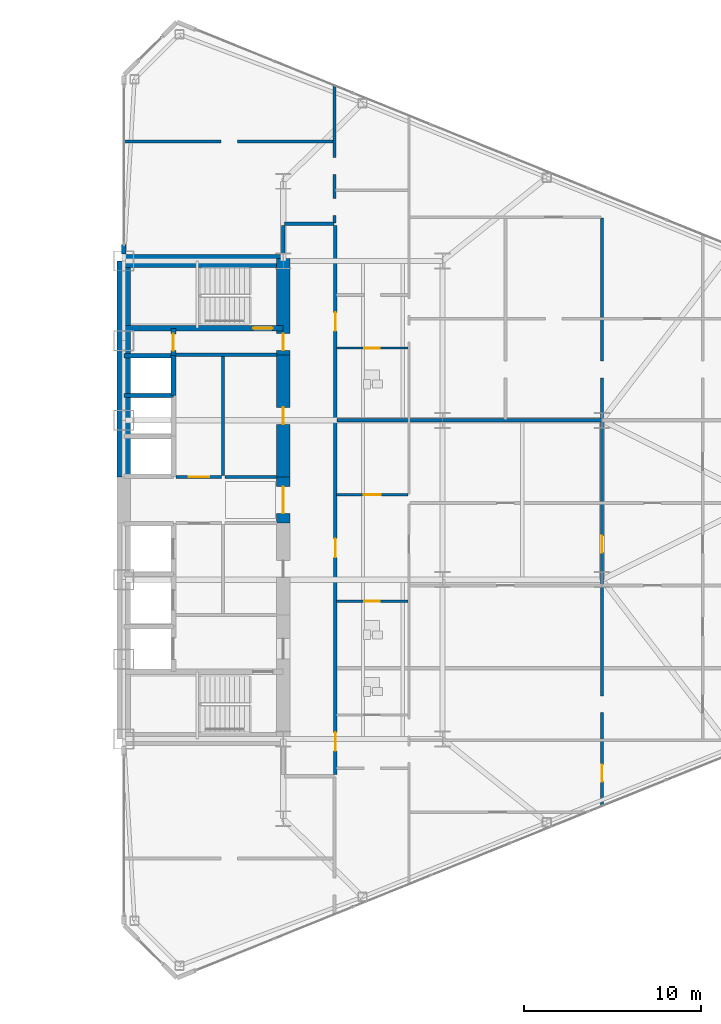
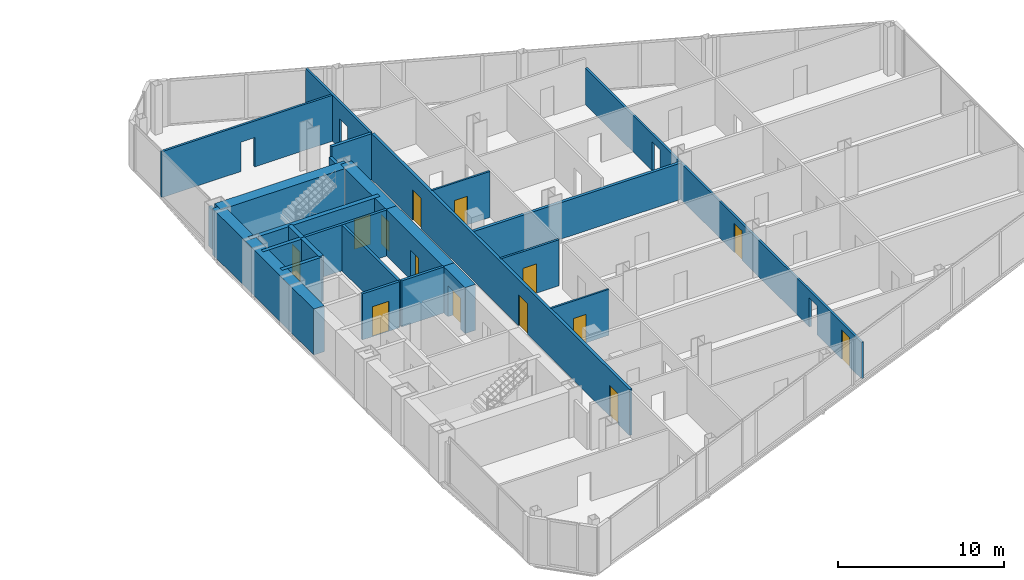
# One storey, part 21 of 25: 25 walls, 14 doors, 19 openings.
"""IFC4 building model written with IfcOpenShell, lengths in metres."""

from ifc_helpers import new_model, si_unit, direction, frame, frame_2d, origin, place, context, subcontext, project, spatial, rectangle, extrude, source, transform, mapped, material, layer, layer_set, type_object, type_shapes, element, fill, save


model = new_model("IFC4")

# Units and contexts
model_context = context("Model", 3, precision=1e-05, world=origin(), true_north=direction((0.0, 1.0)))
body_context = subcontext(model_context, "Body", "Model", "MODEL_VIEW")
ifc_project = project(units=[si_unit("LENGTHUNIT", "METRE"), si_unit("AREAUNIT", "SQUARE_METRE"), si_unit("VOLUMEUNIT", "CUBIC_METRE"), si_unit("PLANEANGLEUNIT", "RADIAN"), si_unit("MASSUNIT", "GRAM", prefix="KILO")], contexts=[model_context])

# Site, building, storey
site_placement = place(None, origin())
site = spatial("IfcSite", under=ifc_project, at=site_placement, CompositionType="ELEMENT")
building_placement = place(site_placement, origin())
building = spatial("IfcBuilding", under=site, at=building_placement, Name="Seokmaru Belvedere", CompositionType="ELEMENT")
storey_placement = place(building_placement, frame((0.0, 0.0, 22.5)))
storey = spatial("IfcBuildingStorey", under=building, at=storey_placement, Name="L05", CompositionType="ELEMENT", Elevation=22.5)

# Wall, opening, door
ifc_material_1 = material(Name="Fire-Rated Gypsum Shaftwall")
ifc_layer_1 = layer(ifc_material_1, 0.14990234375)
ifc_layer_set_1 = layer_set([ifc_layer_1], Name="Fire-Rated Gypsum Shaftwall")
wall_type_1 = type_object("IfcWallType", Name="Apartment Fire-Acoustic Room Partition 150", PredefinedType="PARTITIONING", material=ifc_layer_set_1)
wall_1_placement = place(storey_placement, frame((39.5, 0.300048828125, 0.0), z_axis=(0.0, 0.0, 1.0), x_axis=(1.0, 0.0, 0.0)))
wall_1 = element("IfcWall", 1, at=wall_1_placement, inside=storey, type_object=wall_type_1, Name="L05 Interior Partition 020", PredefinedType="PARTITIONING", context=body_context, shape_type="SweptSolid", body=[
    extrude(rectangle(XDim=4.050048828125, YDim=0.14990234375, at=frame_2d((2.02490234375, 0.0))), origin(), (0.0, 0.0, 1.0), 3.3798828125),
])
opening_1_placement = place(wall_1_placement, frame((1.550048828125, 0.0, 0.0)))
opening_1 = element("IfcOpeningElement", 2, at=opening_1_placement, cuts=wall_1, Name="Opening D05", PredefinedType="OPENING", context=body_context, shape_type="SweptSolid", body=[
    extrude(rectangle(XDim=0.949951171875, YDim=2.14990234375, at=frame_2d((0.47509765625, 1.074951171875))), frame((0.0, 0.0849609375, 0.0), z_axis=(0.0, -1.0, 0.0), x_axis=(1.0, 0.0, 0.0)), (0.0, 0.0, 1.0), 0.169921875),
])
ifc_material_2 = material(Name="Engineered White Oak Timber", Category="wood")
door_type_1 = type_object("IfcDoorType", Name="Apartment Interior Fire-Rated Oak Door 950x2150", OperationType="NOTDEFINED", PredefinedType="DOOR", material=ifc_material_2)
shared_shape_1 = source(origin(), body_context, "Body", "SweptSolid", [
    extrude(rectangle(XDim=0.949951171875, YDim=2.14990234375, at=frame_2d((0.47509765625, 1.074951171875))), frame((0.0, 0.02490234375, 0.0), z_axis=(0.0, -1.0, 0.0), x_axis=(1.0, 0.0, 0.0)), (0.0, 0.0, 1.0), 0.050048828125),
])
type_shapes(door_type_1, [shared_shape_1])
door_1_placement = place(opening_1_placement, origin())
door_1 = element("IfcDoor", 3, at=door_1_placement, inside=storey, type_object=door_type_1, Name="L05 Interior Door 055", OperationType="SINGLE_SWING_RIGHT", OverallHeight=2.14990234375, OverallWidth=0.949951171875, PredefinedType="DOOR", context=body_context, shape_type="MappedRepresentation", body=[
    mapped(shared_shape_1, transform((0.0, 0.0, 0.0), scale=1.0)),
])
fill(opening_1, door_1)

# Wall, opening
wall_2_placement = place(storey_placement, frame((27.465087890625, 20.25, 0.0), z_axis=(0.0, 0.0, 1.0), x_axis=(1.0, 0.0, 0.0)))
wall_2 = element("IfcWall", 4, at=wall_2_placement, inside=storey, type_object=wall_type_1, Name="L05 Interior Partition 037", PredefinedType="PARTITIONING", context=body_context, shape_type="SweptSolid", body=[
    extrude(rectangle(XDim=11.885009765625, YDim=0.14990234375, at=frame_2d((5.9423828125, 0.0))), origin(), (0.0, 0.0, 1.0), 3.3798828125),
])
opening_2_placement = place(wall_2_placement, frame((5.510009765625, 0.0, 0.0)))
element("IfcOpeningElement", 5, at=opening_2_placement, cuts=wall_2, Name="L05 Cased Opening 078", PredefinedType="OPENING", context=body_context, shape_type="SweptSolid", body=[
    extrude(rectangle(XDim=0.949951171875, YDim=2.14990234375, at=frame_2d((0.47509765625, 1.074951171875))), frame((0.0, 0.0849609375, 0.0), z_axis=(0.0, -1.0, 0.0), x_axis=(1.0, 0.0, 0.0)), (0.0, 0.0, 1.0), 0.169921875),
])

# Wall, openings
wall_3_placement = place(storey_placement, frame((39.39990234375, 15.64990234375, 0.0), z_axis=(0.0, 0.0, 1.0), x_axis=(0.0, 1.0, 0.0)))
wall_3 = element("IfcWall", 6, at=wall_3_placement, inside=storey, type_object=wall_type_1, Name="L05 Interior Partition 053", PredefinedType="PARTITIONING", context=body_context, shape_type="SweptSolid", body=[
    extrude(rectangle(XDim=7.783203125, YDim=0.14990234375, at=frame_2d((3.8916015625, 0.0))), origin(), (0.0, 0.0, 1.0), 3.3798828125),
])
opening_3_placement = place(wall_3_placement, frame((0.418701171875, 0.0, 0.0)))
element("IfcOpeningElement", 7, at=opening_3_placement, cuts=wall_3, Name="L05 Cased Opening 077", PredefinedType="OPENING", context=body_context, shape_type="SweptSolid", body=[
    extrude(rectangle(XDim=0.949951171875, YDim=2.14990234375, at=frame_2d((0.47509765625, 1.074951171875))), frame((0.0, 0.0849609375, 0.0), z_axis=(0.0, -1.0, 0.0), x_axis=(1.0, 0.0, 0.0)), (0.0, 0.0, 1.0), 0.169921875),
])
opening_4_placement = place(wall_3_placement, frame((2.743896484375, 0.0, 0.0)))
element("IfcOpeningElement", 8, at=opening_4_placement, cuts=wall_3, Name="L05 Cased Opening 079", PredefinedType="OPENING", context=body_context, shape_type="SweptSolid", body=[
    extrude(rectangle(XDim=0.949951171875, YDim=2.14990234375, at=frame_2d((0.47509765625, 1.074951171875))), frame((0.0, 0.0849609375, 0.0), z_axis=(0.0, -1.0, 0.0), x_axis=(1.0, 0.0, 0.0)), (0.0, 0.0, 1.0), 0.169921875),
])

# Wall, openings, doors
wall_4_placement = place(storey_placement, frame((54.5, -17.321044921875, 0.0), z_axis=(0.0, 0.0, 1.0), x_axis=(0.0, 1.0, 0.0)))
wall_4 = element("IfcWall", 9, at=wall_4_placement, inside=storey, type_object=wall_type_1, Name="L05 Interior Partition 058", PredefinedType="PARTITIONING", context=body_context, shape_type="SweptSolid", body=[
    extrude(rectangle(XDim=33.236083984375, YDim=0.14990234375, at=frame_2d((16.6181640625, 0.0))), origin(), (0.0, 0.0, 1.0), 2.679931640625),
])
opening_5_placement = place(wall_4_placement, frame((1.420166015625, 0.0, 0.0)))
opening_5 = element("IfcOpeningElement", 10, at=opening_5_placement, cuts=wall_4, Name="Opening D05", PredefinedType="OPENING", context=body_context, shape_type="SweptSolid", body=[
    extrude(rectangle(XDim=0.949951171875, YDim=2.14990234375, at=frame_2d((0.47509765625, 1.074951171875))), frame((0.0, 0.0849609375, 0.0), z_axis=(0.0, -1.0, 0.0), x_axis=(1.0, 0.0, 0.0)), (0.0, 0.0, 1.0), 0.169921875),
])
opening_6_placement = place(wall_4_placement, frame((5.31298828125, 0.0, 0.0)))
element("IfcOpeningElement", 11, at=opening_6_placement, cuts=wall_4, Name="L05 Cased Opening 049", PredefinedType="OPENING", context=body_context, shape_type="SweptSolid", body=[
    extrude(rectangle(XDim=0.949951171875, YDim=2.14990234375, at=frame_2d((0.47509765625, 1.074951171875))), frame((0.0, 0.0849609375, 0.0), z_axis=(0.0, -1.0, 0.0), x_axis=(1.0, 0.0, 0.0)), (0.0, 0.0, 1.0), 0.169921875),
])
opening_7_placement = place(wall_4_placement, frame((14.345947265625, 0.0, 0.0)))
opening_7 = element("IfcOpeningElement", 12, at=opening_7_placement, cuts=wall_4, Name="Opening D05", PredefinedType="OPENING", context=body_context, shape_type="SweptSolid", body=[
    extrude(rectangle(XDim=0.949951171875, YDim=2.14990234375, at=frame_2d((0.47509765625, 1.074951171875))), frame((0.0, 0.0849609375, 0.0), z_axis=(0.0, -1.0, 0.0), x_axis=(1.0, 0.0, 0.0)), (0.0, 0.0, 1.0), 0.169921875),
])
opening_8_placement = place(wall_4_placement, frame((24.21240234375, 0.0, 0.0)))
element("IfcOpeningElement", 13, at=opening_8_placement, cuts=wall_4, Name="L05 Cased Opening 071", PredefinedType="OPENING", context=body_context, shape_type="SweptSolid", body=[
    extrude(rectangle(XDim=0.949951171875, YDim=2.14990234375, at=frame_2d((0.47509765625, 1.074951171875))), frame((0.0, 0.0849609375, 0.0), z_axis=(0.0, -1.0, 0.0), x_axis=(1.0, 0.0, 0.0)), (0.0, 0.0, 1.0), 0.169921875),
])
door_2_placement = place(opening_5_placement, origin())
door_2 = element("IfcDoor", 14, at=door_2_placement, inside=storey, type_object=door_type_1, Name="L05 Interior Door 047", OperationType="SINGLE_SWING_LEFT", OverallHeight=2.14990234375, OverallWidth=0.949951171875, PredefinedType="DOOR", context=body_context, shape_type="MappedRepresentation", body=[
    mapped(shared_shape_1, transform((0.0, 0.0, 0.0), scale=1.0)),
])
fill(opening_5, door_2)
door_3_placement = place(opening_7_placement, origin())
door_3 = element("IfcDoor", 15, at=door_3_placement, inside=storey, type_object=door_type_1, Name="L05 Interior Door 057", OperationType="SINGLE_SWING_RIGHT", OverallHeight=2.14990234375, OverallWidth=0.949951171875, PredefinedType="DOOR", context=body_context, shape_type="MappedRepresentation", body=[
    mapped(shared_shape_1, transform((0.0, 0.0, 0.0), scale=1.0)),
])
fill(opening_7, door_3)

# Walls
ifc_layer_2 = layer(ifc_material_1, 0.179931640625)
ifc_layer_set_2 = layer_set([ifc_layer_2], Name="Fire-Rated Gypsum Shaftwall")
wall_type_2 = type_object("IfcWallType", Name="Core Service Fire Partition 180", PredefinedType="PARTITIONING", material=ifc_layer_set_2)
wall_5_placement = place(storey_placement, frame((30.449951171875, 8.199951171875, 0.0), z_axis=(0.0, 0.0, 1.0), x_axis=(1.0, 0.0, 0.0)))
element("IfcWall", 16, at=wall_5_placement, inside=storey, type_object=wall_type_2, Name="L05 East Smokeproof Vestibule Partition", PredefinedType="PARTITIONING", context=body_context, shape_type="SweptSolid", body=[
    extrude(rectangle(XDim=5.699951171875, YDim=0.179931640625, at=frame_2d((2.85009765625, 0.0))), origin(), (0.0, 0.0, 1.0), 3.3798828125),
])
wall_6_placement = place(storey_placement, frame((33.10009765625, 1.3798828125, 0.0), z_axis=(0.0, 0.0, 1.0), x_axis=(0.0, 1.0, 0.0)))
element("IfcWall", 17, at=wall_6_placement, inside=storey, type_object=wall_type_2, Name="L05 East North Core Service Back Wall", PredefinedType="PARTITIONING", context=body_context, shape_type="SweptSolid", body=[
    extrude(rectangle(XDim=6.740234375, YDim=0.179931640625, at=frame_2d((3.3701171875, 0.0))), origin(), (0.0, 0.0, 1.0), 3.3798828125),
])

# Wall, opening, door
wall_7_placement = place(storey_placement, frame((30.449951171875, 1.300048828125, 0.0), z_axis=(0.0, 0.0, 1.0), x_axis=(1.0, 0.0, 0.0)))
wall_7 = element("IfcWall", 18, at=wall_7_placement, inside=storey, type_object=wall_type_2, Name="L05 East North Lift Lobby Foyer Wall", PredefinedType="PARTITIONING", context=body_context, shape_type="SweptSolid", body=[
    extrude(rectangle(XDim=2.570068359375, YDim=0.179931640625, at=frame_2d((1.28515625, 0.0))), origin(), (0.0, 0.0, 1.0), 3.3798828125),
])
opening_9_placement = place(wall_7_placement, frame((0.7099609375, 0.0, 0.0)))
opening_9 = element("IfcOpeningElement", 19, at=opening_9_placement, cuts=wall_7, Name="Opening D02", PredefinedType="OPENING", context=body_context, shape_type="SweptSolid", body=[
    extrude(rectangle(XDim=1.14990234375, YDim=2.199951171875, at=frame_2d((0.574951171875, 1.10009765625))), frame((0.0, 0.10009765625, 0.0), z_axis=(0.0, -1.0, 0.0), x_axis=(1.0, 0.0, 0.0)), (0.0, 0.0, 1.0), 0.199951171875),
])
ifc_material_3 = material(Name="Fire-Rated Steel Leaf", Category="steel")
door_type_2 = type_object("IfcDoorType", Name="Lobby and Vestibule Fire Door 1150x2200", OperationType="NOTDEFINED", PredefinedType="DOOR", material=ifc_material_3)
shared_shape_2 = source(origin(), body_context, "Body", "SweptSolid", [
    extrude(rectangle(XDim=1.14990234375, YDim=2.199951171875, at=frame_2d((0.574951171875, 1.10009765625))), frame((0.0, 0.02490234375, 0.0), z_axis=(0.0, -1.0, 0.0), x_axis=(1.0, 0.0, 0.0)), (0.0, 0.0, 1.0), 0.050048828125),
])
type_shapes(door_type_2, [shared_shape_2])
door_4_placement = place(opening_9_placement, origin())
door_4 = element("IfcDoor", 20, at=door_4_placement, inside=storey, type_object=door_type_2, Name="L05 East North Lift Lobby Door", OperationType="SINGLE_SWING_LEFT", OverallHeight=2.199951171875, OverallWidth=1.14990234375, PredefinedType="DOOR", context=body_context, shape_type="MappedRepresentation", body=[
    mapped(shared_shape_2, transform((0.0, 0.0, 0.0), scale=1.0)),
])
fill(opening_9, door_4)

# Walls
wall_8_placement = place(storey_placement, frame((33.199951171875, 1.300048828125, 0.0), z_axis=(0.0, 0.0, 1.0), x_axis=(1.0, 0.0, 0.0)))
element("IfcWall", 21, at=wall_8_placement, inside=storey, type_object=wall_type_2, Name="L05 East Foyer Side Wall N", PredefinedType="PARTITIONING", context=body_context, shape_type="SweptSolid", body=[
    extrude(rectangle(XDim=2.949951171875, YDim=0.179931640625, at=frame_2d((1.47509765625, 0.0))), origin(), (0.0, 0.0, 1.0), 3.3798828125),
])
ifc_material_4 = material(Name="Concrete C50 (50 MPa)", Category="concrete")
ifc_layer_3 = layer(ifc_material_4, 0.25)
ifc_layer_set_3 = layer_set([ifc_layer_3], Name="Concrete C50 (50 MPa)")
wall_type_3 = type_object("IfcWallType", Name="Hoistway Transverse Concrete Divider Wall 250", PredefinedType="SHEAR", material=ifc_layer_set_3)
for number, where, z_axis, x_axis, name in (
    (22, (27.5, 5.89990234375, 0.0), (0.0, 0.0, 1.0), (1.0, 0.0, 0.0), "L05 East Hoistway Divider Core Wall 6"),
    (23, (27.5, 8.14990234375, 0.0), (0.0, 0.0, 1.0), (1.0, 0.0, 0.0), "L05 East Hoistway Divider Core Wall 7"),
):
    element("IfcWall", number, at=place(storey_placement, frame(where, z_axis=z_axis, x_axis=x_axis)), inside=storey, type_object=wall_type_3, Name=name, PredefinedType="SHEAR", context=body_context, shape_type="SweptSolid", body=[
        extrude(rectangle(XDim=2.800048828125, YDim=0.25, at=frame_2d((1.39990234375, 0.0))), origin(), (0.0, 0.0, 1.0), 3.3798828125),
    ])
ifc_layer_4 = layer(ifc_material_1, 0.199951171875)
ifc_layer_set_4 = layer_set([ifc_layer_4], Name="Fire-Rated Gypsum Shaftwall")
wall_type_4 = type_object("IfcWallType", Name="Inter-Tenancy Fire Compartment Partition 200", PredefinedType="PARTITIONING", material=ifc_layer_set_4)
wall_9_placement = place(storey_placement, frame((39.530029296875, 4.5, 0.0), z_axis=(0.0, 0.0, 1.0), x_axis=(1.0, 0.0, 0.0)))
element("IfcWall", 24, at=wall_9_placement, inside=storey, type_object=wall_type_4, Name="L05 Interior Partition 023", PredefinedType="PARTITIONING", context=body_context, shape_type="SweptSolid", body=[
    extrude(rectangle(XDim=14.989990234375, YDim=0.199951171875, at=frame_2d((7.4951171875, 0.0))), origin(), (0.0, 0.0, 1.0), 2.679931640625),
])
wall_10_placement = place(storey_placement, frame((36.5849609375, 15.60009765625, 0.0), z_axis=(0.0, 0.0, 1.0), x_axis=(1.0, 0.0, 0.0)))
element("IfcWall", 25, at=wall_10_placement, inside=storey, type_object=wall_type_4, Name="L05 Interior Partition 032", PredefinedType="PARTITIONING", context=body_context, shape_type="SweptSolid", body=[
    extrude(rectangle(XDim=2.780029296875, YDim=0.199951171875, at=frame_2d((1.39013671875, 0.0))), origin(), (0.0, 0.0, 1.0), 3.3798828125),
])
wall_11_placement = place(storey_placement, frame((36.5, 13.8798828125, 0.0), z_axis=(0.0, 0.0, 1.0), x_axis=(0.0, 1.0, 0.0)))
element("IfcWall", 26, at=wall_11_placement, inside=storey, type_object=wall_type_4, Name="L05 Interior Partition 051", PredefinedType="PARTITIONING", context=body_context, shape_type="SweptSolid", body=[
    extrude(rectangle(XDim=1.635009765625, YDim=0.199951171875, at=frame_2d((0.8173828125, 0.0))), origin(), (0.0, 0.0, 1.0), 2.679931640625),
])

# Wall, openings, doors
wall_12_placement = place(storey_placement, frame((39.449951171875, -15.514892578125, 0.0), z_axis=(0.0, 0.0, 1.0), x_axis=(0.0, 1.0, 0.0)))
wall_12 = element("IfcWall", 27, at=wall_12_placement, inside=storey, type_object=wall_type_4, Name="L05 Interior Partition 054", PredefinedType="PARTITIONING", context=body_context, shape_type="SweptSolid", body=[
    extrude(rectangle(XDim=31.02978515625, YDim=0.199951171875, at=frame_2d((15.514892578125, 0.0))), origin(), (0.0, 0.0, 1.0), 3.3798828125),
])
opening_10_placement = place(wall_12_placement, frame((1.344970703125, 0.0, 0.0)))
opening_10 = element("IfcOpeningElement", 28, at=opening_10_placement, cuts=wall_12, Name="Opening D03", PredefinedType="OPENING", context=body_context, shape_type="SweptSolid", body=[
    extrude(rectangle(XDim=1.050048828125, YDim=2.25, at=frame_2d((0.52490234375, 1.125))), frame((0.0, 0.10986328125, 0.0), z_axis=(0.0, -1.0, 0.0), x_axis=(1.0, 0.0, 0.0)), (0.0, 0.0, 1.0), 0.219970703125),
])
opening_11_placement = place(wall_12_placement, frame((12.280029296875, 0.0, 0.0)))
opening_11 = element("IfcOpeningElement", 29, at=opening_11_placement, cuts=wall_12, Name="Opening D03", PredefinedType="OPENING", context=body_context, shape_type="SweptSolid", body=[
    extrude(rectangle(XDim=1.050048828125, YDim=2.25, at=frame_2d((0.52490234375, 1.125))), frame((0.0, 0.10986328125, 0.0), z_axis=(0.0, -1.0, 0.0), x_axis=(1.0, 0.0, 0.0)), (0.0, 0.0, 1.0), 0.219970703125),
])
opening_12_placement = place(wall_12_placement, frame((25.0673828125, 0.0, 0.0)))
opening_12 = element("IfcOpeningElement", 30, at=opening_12_placement, cuts=wall_12, Name="Opening D03", PredefinedType="OPENING", context=body_context, shape_type="SweptSolid", body=[
    extrude(rectangle(XDim=1.050048828125, YDim=2.25, at=frame_2d((0.52490234375, 1.125))), frame((0.0, 0.10986328125, 0.0), z_axis=(0.0, -1.0, 0.0), x_axis=(1.0, 0.0, 0.0)), (0.0, 0.0, 1.0), 0.219970703125),
])
door_type_3 = type_object("IfcDoorType", Name="Apartment Entrance Fire Door 1050x2250", OperationType="NOTDEFINED", PredefinedType="DOOR", material=ifc_material_3)
shared_shape_3 = source(origin(), body_context, "Body", "SweptSolid", [
    extrude(rectangle(XDim=1.050048828125, YDim=2.25, at=frame_2d((0.52490234375, 1.125))), frame((0.0, 0.02490234375, 0.0), z_axis=(0.0, -1.0, 0.0), x_axis=(1.0, 0.0, 0.0)), (0.0, 0.0, 1.0), 0.050048828125),
])
type_shapes(door_type_3, [shared_shape_3])
door_5_placement = place(opening_10_placement, origin())
door_5 = element("IfcDoor", 31, at=door_5_placement, inside=storey, type_object=door_type_3, Name="L05 Interior Door 042", OperationType="SINGLE_SWING_LEFT", OverallHeight=2.25, OverallWidth=1.050048828125, PredefinedType="DOOR", context=body_context, shape_type="MappedRepresentation", body=[
    mapped(shared_shape_3, transform((0.0, 0.0, 0.0), scale=1.0)),
])
fill(opening_10, door_5)
door_6_placement = place(opening_11_placement, origin())
door_6 = element("IfcDoor", 32, at=door_6_placement, inside=storey, type_object=door_type_3, Name="L05 Interior Door 053", OperationType="SINGLE_SWING_RIGHT", OverallHeight=2.25, OverallWidth=1.050048828125, PredefinedType="DOOR", context=body_context, shape_type="MappedRepresentation", body=[
    mapped(shared_shape_3, transform((0.0, 0.0, 0.0), scale=1.0)),
])
fill(opening_11, door_6)
door_7_placement = place(opening_12_placement, origin())
door_7 = element("IfcDoor", 33, at=door_7_placement, inside=storey, type_object=door_type_3, Name="L05 Interior Door 065", OperationType="SINGLE_SWING_LEFT", OverallHeight=2.25, OverallWidth=1.050048828125, PredefinedType="DOOR", context=body_context, shape_type="MappedRepresentation", body=[
    mapped(shared_shape_3, transform((0.0, 0.0, 0.0), scale=1.0)),
])
fill(opening_12, door_7)

# Wall, opening, door
ifc_layer_5 = layer(ifc_material_4, 0.300048828125)
ifc_layer_set_5 = layer_set([ifc_layer_5], Name="Concrete C50 (50 MPa)")
wall_type_5 = type_object("IfcWallType", Name="Internal Core Stair and Hoistway Wall 300", PredefinedType="SHEAR", material=ifc_layer_set_5)
wall_13_placement = place(storey_placement, frame((27.5, 9.699951171875, 0.0), z_axis=(0.0, 0.0, 1.0), x_axis=(1.0, 0.0, 0.0)))
wall_13 = element("IfcWall", 34, at=wall_13_placement, inside=storey, type_object=wall_type_5, Name="L05 East Stair ST-2 Enclosure Wall", PredefinedType="SHEAR", context=body_context, shape_type="SweptSolid", body=[
    extrude(rectangle(XDim=9.0, YDim=0.300048828125, at=frame_2d((4.5, 0.0))), origin(), (0.0, 0.0, 1.0), 3.3798828125),
])
opening_13_placement = place(wall_13_placement, frame((7.300048828125, 0.0, 0.0)))
opening_13 = element("IfcOpeningElement", 35, at=opening_13_placement, cuts=wall_13, Name="Opening D01", PredefinedType="OPENING", context=body_context, shape_type="SweptSolid", body=[
    extrude(rectangle(XDim=1.10009765625, YDim=2.199951171875, at=frame_2d((0.550048828125, 1.10009765625))), frame((0.0, 0.16015625, 0.0), z_axis=(0.0, -1.0, 0.0), x_axis=(1.0, 0.0, 0.0)), (0.0, 0.0, 1.0), 0.320068359375),
])
door_type_4 = type_object("IfcDoorType", Name="Special Escape Stair Smokeproof Fire Door 1100x2200", OperationType="NOTDEFINED", PredefinedType="DOOR", material=ifc_material_3)
shared_shape_4 = source(origin(), body_context, "Body", "SweptSolid", [
    extrude(rectangle(XDim=1.10009765625, YDim=2.199951171875, at=frame_2d((0.550048828125, 1.10009765625))), frame((0.0, 0.02490234375, 0.0), z_axis=(0.0, -1.0, 0.0), x_axis=(1.0, 0.0, 0.0)), (0.0, 0.0, 1.0), 0.050048828125),
])
type_shapes(door_type_4, [shared_shape_4])
door_8_placement = place(opening_13_placement, origin())
door_8 = element("IfcDoor", 36, at=door_8_placement, inside=storey, type_object=door_type_4, Name="L05 East Special Escape Stair ST-2 Door", OperationType="SINGLE_SWING_LEFT", OverallHeight=2.199951171875, OverallWidth=1.10009765625, PredefinedType="DOOR", context=body_context, shape_type="MappedRepresentation", body=[
    mapped(shared_shape_4, transform((0.0, 0.0, 0.0), scale=1.0)),
])
fill(opening_13, door_8)

# Wall
wall_14_placement = place(storey_placement, frame((30.300048828125, 5.89990234375, 0.0), z_axis=(0.0, 0.0, 1.0), x_axis=(0.0, 1.0, 0.0)))
element("IfcWall", 37, at=wall_14_placement, inside=storey, type_object=wall_type_5, Name="L05 East North Hoistway Wall OBS", PredefinedType="SHEAR", context=body_context, shape_type="SweptSolid", body=[
    extrude(rectangle(XDim=2.25, YDim=0.300048828125, at=frame_2d((1.125, 0.0))), origin(), (0.0, 0.0, 1.0), 3.3798828125),
])

# Wall, opening, door
wall_15_placement = place(storey_placement, frame((30.300048828125, 8.14990234375, 0.0), z_axis=(0.0, 0.0, 1.0), x_axis=(0.0, 1.0, 0.0)))
wall_15 = element("IfcWall", 38, at=wall_15_placement, inside=storey, type_object=wall_type_5, Name="L05 East Electrical Riser Front Wall", PredefinedType="SHEAR", context=body_context, shape_type="SweptSolid", body=[
    extrude(rectangle(XDim=1.530029296875, YDim=0.300048828125, at=frame_2d((0.76513671875, 0.0))), origin(), (0.0, 0.0, 1.0), 3.3798828125),
])
opening_14_placement = place(wall_15_placement, frame((0.284912109375, 0.0, 0.0)))
opening_14 = element("IfcOpeningElement", 39, at=opening_14_placement, cuts=wall_15, Name="Opening D04", PredefinedType="OPENING", context=body_context, shape_type="SweptSolid", body=[
    extrude(rectangle(XDim=0.949951171875, YDim=2.14990234375, at=frame_2d((0.47509765625, 1.074951171875))), frame((0.0, 0.16015625, 0.0), z_axis=(0.0, -1.0, 0.0), x_axis=(1.0, 0.0, 0.0)), (0.0, 0.0, 1.0), 0.320068359375),
])
door_type_5 = type_object("IfcDoorType", Name="Core Service Room Fire Door 950x2150", OperationType="NOTDEFINED", PredefinedType="DOOR", material=ifc_material_3)
shared_shape_5 = source(origin(), body_context, "Body", "SweptSolid", [
    extrude(rectangle(XDim=0.949951171875, YDim=2.14990234375, at=frame_2d((0.47509765625, 1.074951171875))), frame((0.0, 0.02490234375, 0.0), z_axis=(0.0, -1.0, 0.0), x_axis=(1.0, 0.0, 0.0)), (0.0, 0.0, 1.0), 0.050048828125),
])
type_shapes(door_type_5, [shared_shape_5])
door_9_placement = place(opening_14_placement, origin())
door_9 = element("IfcDoor", 40, at=door_9_placement, inside=storey, type_object=door_type_5, Name="L05 East Electrical Riser Access Door", OperationType="SINGLE_SWING_RIGHT", OverallHeight=2.14990234375, OverallWidth=0.949951171875, PredefinedType="DOOR", context=body_context, shape_type="MappedRepresentation", body=[
    mapped(shared_shape_5, transform((0.0, 0.0, 0.0), scale=1.0)),
])
fill(opening_14, door_9)

# Walls
ifc_material_5 = material(Name="Concrete C60 (60 MPa)", Category="concrete")
ifc_layer_6 = layer(ifc_material_5, 0.75)
ifc_layer_set_6 = layer_set([ifc_layer_6], Name="Concrete C60 (60 MPa)")
wall_type_6 = type_object("IfcWallType", Name="Lower Tower Reinforced Concrete Core Wall 750", PredefinedType="SHEAR", material=ifc_layer_set_6)
wall_16_placement = place(storey_placement, frame((27.5, 1.300048828125, 0.0), z_axis=(0.0, 0.0, 1.0), x_axis=(0.0, 1.0, 0.0)))
element("IfcWall", 41, at=wall_16_placement, inside=storey, type_object=wall_type_6, Name="L05 East Portal Spine Core Wall North", PredefinedType="SHEAR", context=body_context, shape_type="SweptSolid", body=[
    extrude(rectangle(XDim=12.199951171875, YDim=0.75, at=frame_2d((6.10009765625, 0.0))), origin(), (0.0, 0.0, 1.0), 3.3798828125),
])
wall_17_placement = place(storey_placement, frame((27.5, 13.5, 0.0), z_axis=(0.0, 0.0, 1.0), x_axis=(1.0, 0.0, 0.0)))
element("IfcWall", 42, at=wall_17_placement, inside=storey, type_object=wall_type_6, Name="L05 East North Core Wall", PredefinedType="SHEAR", context=body_context, shape_type="SweptSolid", body=[
    extrude(rectangle(XDim=9.0, YDim=0.75, at=frame_2d((4.5, 0.0))), origin(), (0.0, 0.0, 1.0), 3.3798828125),
])

# Wall, opening, door
wall_18_placement = place(storey_placement, frame((36.5, -1.300048828125, 0.0), z_axis=(0.0, 0.0, 1.0), x_axis=(0.0, 1.0, 0.0)))
wall_18 = element("IfcWall", 43, at=wall_18_placement, inside=storey, type_object=wall_type_6, Name="L05 East West Core Wall FOY", PredefinedType="SHEAR", context=body_context, shape_type="SweptSolid", body=[
    extrude(rectangle(XDim=2.60009765625, YDim=0.75, at=frame_2d((1.300048828125, 0.0))), origin(), (0.0, 0.0, 1.0), 3.3798828125),
])
opening_15_placement = place(wall_18_placement, frame((0.550048828125, 0.0, 0.0)))
opening_15 = element("IfcOpeningElement", 44, at=opening_15_placement, cuts=wall_18, Name="Opening D08", PredefinedType="OPENING", context=body_context, shape_type="SweptSolid", body=[
    extrude(rectangle(XDim=1.5, YDim=2.300048828125, at=frame_2d((0.75, 1.14990234375))), frame((0.0, 0.385009765625, 0.0), z_axis=(0.0, -1.0, 0.0), x_axis=(1.0, 0.0, 0.0)), (0.0, 0.0, 1.0), 0.77001953125),
])
door_type_6 = type_object("IfcDoorType", Name="Cross-Corridor Compartment Double Fire Door 1500x2300", OperationType="DOUBLE_SWING_LEFT", PredefinedType="DOOR", material=ifc_material_3)
shared_shape_6 = source(origin(), body_context, "Body", "SweptSolid", [
    extrude(rectangle(XDim=1.5, YDim=2.300048828125, at=frame_2d((0.75, 1.14990234375))), frame((0.0, 0.02490234375, 0.0), z_axis=(0.0, -1.0, 0.0), x_axis=(1.0, 0.0, 0.0)), (0.0, 0.0, 1.0), 0.050048828125),
])
type_shapes(door_type_6, [shared_shape_6])
door_10_placement = place(opening_15_placement, origin())
door_10 = element("IfcDoor", 45, at=door_10_placement, inside=storey, type_object=door_type_6, Name="L05 East Core Foyer Compartment Door", OperationType="DOUBLE_SWING_LEFT", OverallHeight=2.300048828125, OverallWidth=1.5, PredefinedType="DOOR", context=body_context, shape_type="MappedRepresentation", body=[
    mapped(shared_shape_6, transform((0.0, 0.0, 0.0), scale=1.0)),
])
fill(opening_15, door_10)

wall_19_placement = place(storey_placement, frame((36.5, 8.199951171875, 0.0), z_axis=(0.0, 0.0, 1.0), x_axis=(0.0, 1.0, 0.0)))
wall_19 = element("IfcWall", 46, at=wall_19_placement, inside=storey, type_object=wall_type_6, Name="L05 East West Core Wall VST", PredefinedType="SHEAR", context=body_context, shape_type="SweptSolid", body=[
    extrude(rectangle(XDim=5.449951171875, YDim=0.75, at=frame_2d((2.72509765625, 0.0))), origin(), (0.0, 0.0, 1.0), 3.3798828125),
])
opening_16_placement = place(wall_19_placement, frame((0.2451171875, 0.0, 0.0)))
opening_16 = element("IfcOpeningElement", 47, at=opening_16_placement, cuts=wall_19, Name="Opening D04", PredefinedType="OPENING", context=body_context, shape_type="SweptSolid", body=[
    extrude(rectangle(XDim=0.949951171875, YDim=2.14990234375, at=frame_2d((0.47509765625, 1.074951171875))), frame((0.0, 0.385009765625, 0.0), z_axis=(0.0, -1.0, 0.0), x_axis=(1.0, 0.0, 0.0)), (0.0, 0.0, 1.0), 0.77001953125),
])
door_11_placement = place(opening_16_placement, origin())
door_11 = element("IfcDoor", 48, at=door_11_placement, inside=storey, type_object=door_type_5, Name="L05 East Smokeproof Vestibule Door", OperationType="SINGLE_SWING_LEFT", OverallHeight=2.14990234375, OverallWidth=0.949951171875, PredefinedType="DOOR", context=body_context, shape_type="MappedRepresentation", body=[
    mapped(shared_shape_5, transform((0.0, 0.0, 0.0), scale=1.0)),
])
fill(opening_16, door_11)

wall_20_placement = place(storey_placement, frame((36.5, 1.300048828125, 0.0), z_axis=(0.0, 0.0, 1.0), x_axis=(0.0, 1.0, 0.0)))
wall_20 = element("IfcWall", 49, at=wall_20_placement, inside=storey, type_object=wall_type_6, Name="L05 East West Core Wall CS2", PredefinedType="SHEAR", context=body_context, shape_type="SweptSolid", body=[
    extrude(rectangle(XDim=6.89990234375, YDim=0.75, at=frame_2d((3.449951171875, 0.0))), origin(), (0.0, 0.0, 1.0), 3.3798828125),
])
opening_17_placement = place(wall_20_placement, frame((2.97509765625, 0.0, 0.0)))
opening_17 = element("IfcOpeningElement", 50, at=opening_17_placement, cuts=wall_20, Name="Opening D04", PredefinedType="OPENING", context=body_context, shape_type="SweptSolid", body=[
    extrude(rectangle(XDim=0.949951171875, YDim=2.14990234375, at=frame_2d((0.47509765625, 1.074951171875))), frame((0.0, 0.385009765625, 0.0), z_axis=(0.0, -1.0, 0.0), x_axis=(1.0, 0.0, 0.0)), (0.0, 0.0, 1.0), 0.77001953125),
])
door_12_placement = place(opening_17_placement, origin())
door_12 = element("IfcDoor", 51, at=door_12_placement, inside=storey, type_object=door_type_5, Name="L05 East Core Service Room Door 2", OperationType="SINGLE_SWING_LEFT", OverallHeight=2.14990234375, OverallWidth=0.949951171875, PredefinedType="DOOR", context=body_context, shape_type="MappedRepresentation", body=[
    mapped(shared_shape_5, transform((0.0, 0.0, 0.0), scale=1.0)),
])
fill(opening_17, door_12)

ifc_layer_7 = layer(ifc_material_1, 0.1298828125)
ifc_layer_set_7 = layer_set([ifc_layer_7], Name="Fire-Rated Gypsum Shaftwall")
wall_type_7 = type_object("IfcWallType", Name="Moisture-Resistant Fire-Rated Bathroom Partition 130", PredefinedType="PARTITIONING", material=ifc_layer_set_7)
wall_21_placement = place(storey_placement, frame((39.5, -5.719970703125, 0.0), z_axis=(0.0, 0.0, 1.0), x_axis=(1.0, 0.0, 0.0)))
wall_21 = element("IfcWall", 52, at=wall_21_placement, inside=storey, type_object=wall_type_7, Name="L05 Interior Partition 015", PredefinedType="PARTITIONING", context=body_context, shape_type="SweptSolid", body=[
    extrude(rectangle(XDim=4.050048828125, YDim=0.1298828125, at=frame_2d((2.02490234375, 0.0))), origin(), (0.0, 0.0, 1.0), 3.3798828125),
])
opening_18_placement = place(wall_21_placement, frame((1.5849609375, 0.0, 0.0)))
opening_18 = element("IfcOpeningElement", 53, at=opening_18_placement, cuts=wall_21, Name="Opening D06", PredefinedType="OPENING", context=body_context, shape_type="SweptSolid", body=[
    extrude(rectangle(XDim=0.8798828125, YDim=2.10009765625, at=frame_2d((0.43994140625, 1.050048828125))), frame((0.0, 0.074951171875, 0.0), z_axis=(0.0, -1.0, 0.0), x_axis=(1.0, 0.0, 0.0)), (0.0, 0.0, 1.0), 0.14990234375),
])
door_type_7 = type_object("IfcDoorType", Name="Bathroom and Restroom Fire-Rated Door 880x2100", OperationType="NOTDEFINED", PredefinedType="DOOR", material=ifc_material_2)
shared_shape_7 = source(origin(), body_context, "Body", "SweptSolid", [
    extrude(rectangle(XDim=0.8798828125, YDim=2.10009765625, at=frame_2d((0.43994140625, 1.050048828125))), frame((0.0, 0.02490234375, 0.0), z_axis=(0.0, -1.0, 0.0), x_axis=(1.0, 0.0, 0.0)), (0.0, 0.0, 1.0), 0.050048828125),
])
type_shapes(door_type_7, [shared_shape_7])
door_13_placement = place(opening_18_placement, origin())
door_13 = element("IfcDoor", 54, at=door_13_placement, inside=storey, type_object=door_type_7, Name="L05 Interior Door 054", OperationType="SINGLE_SWING_RIGHT", OverallHeight=2.10009765625, OverallWidth=0.8798828125, PredefinedType="DOOR", context=body_context, shape_type="MappedRepresentation", body=[
    mapped(shared_shape_7, transform((0.0, 0.0, 0.0), scale=1.0)),
])
fill(opening_18, door_13)

wall_22_placement = place(storey_placement, frame((39.5, 8.580078125, 0.0), z_axis=(0.0, 0.0, 1.0), x_axis=(1.0, 0.0, 0.0)))
wall_22 = element("IfcWall", 55, at=wall_22_placement, inside=storey, type_object=wall_type_7, Name="L05 Interior Partition 025", PredefinedType="PARTITIONING", context=body_context, shape_type="SweptSolid", body=[
    extrude(rectangle(XDim=4.050048828125, YDim=0.1298828125, at=frame_2d((2.02490234375, 0.0))), origin(), (0.0, 0.0, 1.0), 3.3798828125),
])
opening_19_placement = place(wall_22_placement, frame((1.5849609375, 0.0, 0.0)))
opening_19 = element("IfcOpeningElement", 56, at=opening_19_placement, cuts=wall_22, Name="Opening D06", PredefinedType="OPENING", context=body_context, shape_type="SweptSolid", body=[
    extrude(rectangle(XDim=0.8798828125, YDim=2.10009765625, at=frame_2d((0.43994140625, 1.050048828125))), frame((0.0, 0.074951171875, 0.0), z_axis=(0.0, -1.0, 0.0), x_axis=(1.0, 0.0, 0.0)), (0.0, 0.0, 1.0), 0.14990234375),
])
door_14_placement = place(opening_19_placement, origin())
door_14 = element("IfcDoor", 57, at=door_14_placement, inside=storey, type_object=door_type_7, Name="L05 Interior Door 066", OperationType="SINGLE_SWING_RIGHT", OverallHeight=2.10009765625, OverallWidth=0.8798828125, PredefinedType="DOOR", context=body_context, shape_type="MappedRepresentation", body=[
    mapped(shared_shape_7, transform((0.0, 0.0, 0.0), scale=1.0)),
])
fill(opening_19, door_14)

# Wall
ifc_material_6 = material(Name="Anodised Bronze Aluminium", Category="aluminium")
ifc_layer_8 = layer(ifc_material_6, 0.239990234375)
ifc_layer_set_8 = layer_set([ifc_layer_8], Name="Anodised Bronze Aluminium")
wall_type_8 = type_object("IfcWallType", Name="Tower Corner Spandrel Closure Wall 240", PredefinedType="SOLIDWALL", material=ifc_layer_set_8)
wall_23_placement = place(storey_placement, frame((27.5, 13.8798828125, 0.0), z_axis=(0.0, 0.0, 1.0), x_axis=(0.0, 1.0, 0.0)))
element("IfcWall", 58, at=wall_23_placement, inside=storey, type_object=wall_type_8, Name="L05 E Spine Closure Pier 2A", PredefinedType="SOLIDWALL", context=body_context, shape_type="SweptSolid", body=[
    extrude(rectangle(XDim=0.550048828125, YDim=0.239990234375, at=frame_2d((0.27490234375, 0.0))), origin(), (0.0, 0.0, 1.0), 2.8798828125),
])

save(model, "model.ifc")
